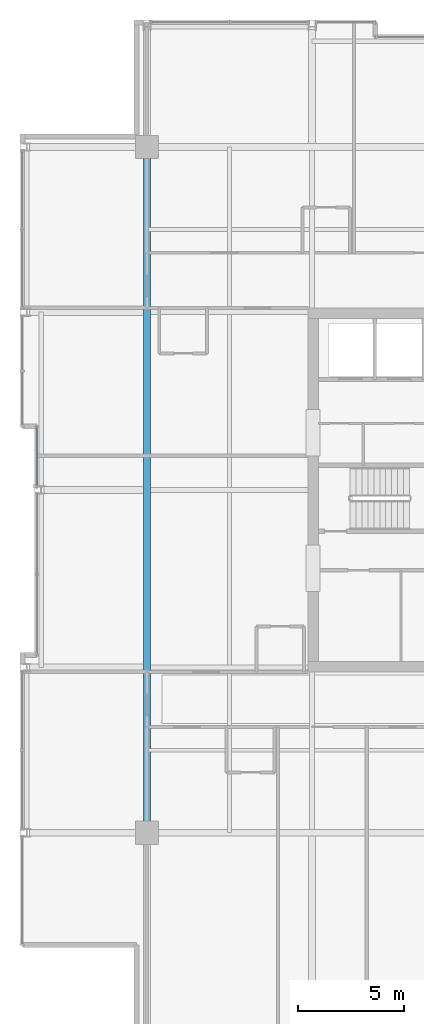
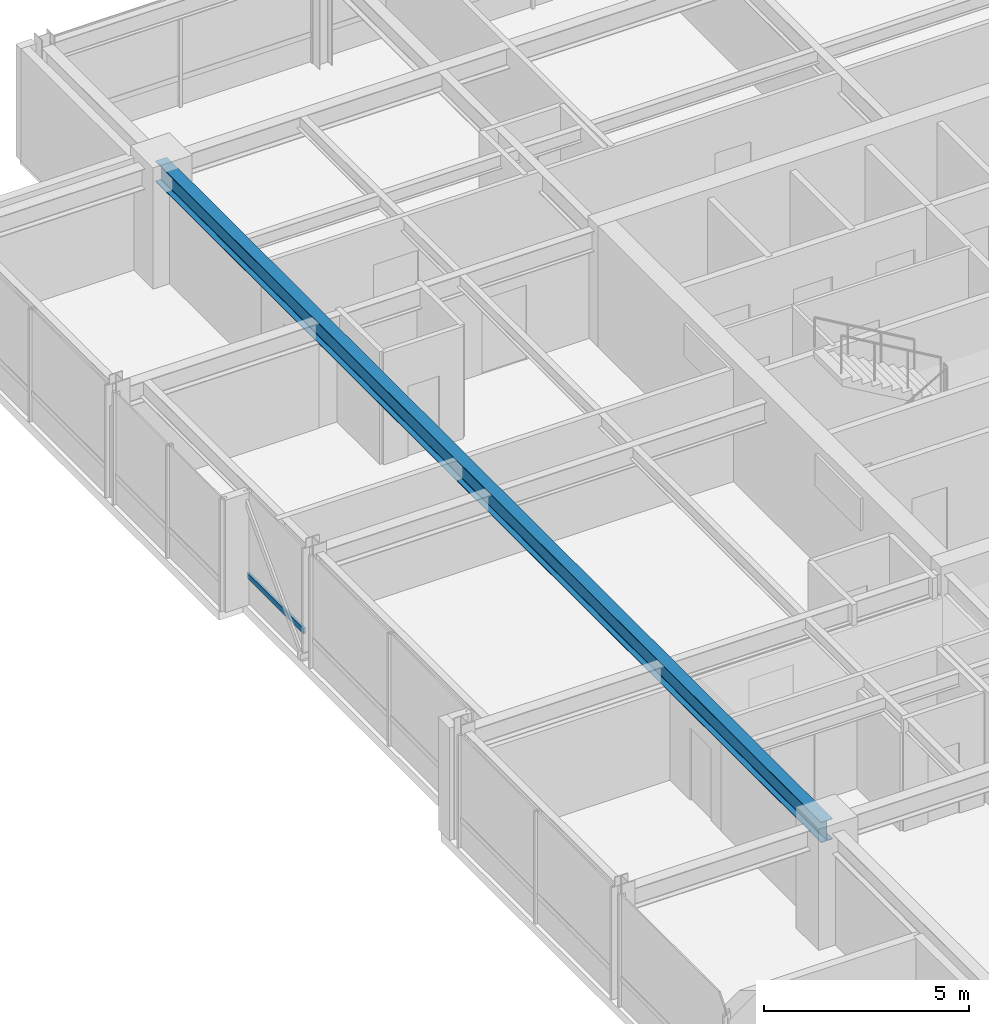
# One storey, part 10 of 33: 1 beam, 1 member, 1 element without a shape of its own.
"""IFC4 building model written with IfcOpenShell, lengths in metres."""

from ifc_helpers import new_model, si_unit, direction, frame, origin, origin_2d, place, context, subcontext, project, spatial, hollow_rectangle, i_section, extrude, material, layer, layer_set, material_profile, profile_set, type_object, element, aggregate, save


model = new_model("IFC4")

# Units and contexts
model_context = context("Model", 3, precision=1e-05, world=origin(), true_north=direction((0.0, 1.0)))
body_context = subcontext(model_context, "Body", "Model", "MODEL_VIEW")
ifc_project = project(units=[si_unit("LENGTHUNIT", "METRE"), si_unit("AREAUNIT", "SQUARE_METRE"), si_unit("VOLUMEUNIT", "CUBIC_METRE"), si_unit("PLANEANGLEUNIT", "RADIAN"), si_unit("MASSUNIT", "GRAM", prefix="KILO")], contexts=[model_context])

# Site, building, storey
site_placement = place(None, origin())
site = spatial("IfcSite", under=ifc_project, at=site_placement, CompositionType="ELEMENT")
building_placement = place(site_placement, origin())
building = spatial("IfcBuilding", under=site, at=building_placement, Name="Drelvath Grand Hotel", CompositionType="ELEMENT")
storey_placement = place(building_placement, frame((0.0, 0.0, 248.300048828125)))
storey = spatial("IfcBuildingStorey", under=building, at=storey_placement, Name="L65", CompositionType="ELEMENT", Elevation=248.300048828125)

# Curtain wall, member
ifc_material_1 = material(Name="Platinum-Mist Anodised Aluminium Frame", Category="aluminium")
ifc_layer = layer(ifc_material_1, 0.199951171875)
ifc_layer_set = layer_set([ifc_layer], Name="Platinum-Mist Anodised Aluminium Frame")
curtain_wall_type = type_object("IfcCurtainWallType", Name="Stick Curtain Wall CW-05 Platinum Mist High-Rise", PredefinedType="NOTDEFINED", material=ifc_layer_set)
curtain_wall_placement = place(storey_placement, origin())
curtain_wall = element("IfcCurtainWall", 1, at=curtain_wall_placement, inside=storey, type_object=curtain_wall_type, Name="L65 CW-05 Curtain Wall CW05-L65-WM2", PredefinedType="NOTDEFINED")
ifc_material_profile_1 = material_profile(ifc_material_1, hollow_rectangle(XDim=0.06494140625, YDim=0.159912109375, WallThickness=0.00390625, at=origin_2d()), Name="HSS160X65X4")
ifc_profile_set_1 = profile_set([ifc_material_profile_1], Name="Platinum-Mist Anodised Aluminium Frame")
member_type = type_object("IfcMemberType", Name="Curtain Wall Horizontal Transom CW-05 HSS160X65X4", PredefinedType="USERDEFINED", material=ifc_profile_set_1)
member_placement = place(storey_placement, frame((-21.39990234375, 27.21826171875, 0.8349609375), z_axis=(0.0, 1.0, 0.0), x_axis=(-1.0, 0.0, 0.0)))
member = element("IfcMember", 2, at=member_placement, type_object=member_type, Name="CW05-L65-WM2 Sill Transom", ObjectType="TRANSOM", PredefinedType="USERDEFINED", context=body_context, shape_type="SweptSolid", body=[
    extrude(hollow_rectangle(XDim=0.06494140625, YDim=0.159912109375, WallThickness=0.00390625, at=origin_2d()), origin(), (0.0, 0.0, 1.0), 2.74169921875),
])
aggregate(curtain_wall, [member])

# Beam
ifc_material_2 = material(Name="Steel ASTM A992 Gr 50", Category="steel")
ifc_material_profile_2 = material_profile(ifc_material_2, i_section(OverallWidth=0.323974609375, OverallDepth=0.611083984375, WebThickness=0.0126953125, FlangeThickness=0.01904296875, FilletRadius=0.02197265625, at=origin_2d()), Name="W24X104")
ifc_profile_set_2 = profile_set([ifc_material_profile_2], Name="Steel ASTM A992 Gr 50")
beam_type = type_object("IfcBeamType", Name="Primary Floor Girder W24X104", PredefinedType="BEAM", material=ifc_profile_set_2)
beam_placement = place(storey_placement, frame((-16.199951171875, 10.800048828125, 3.034423828125), z_axis=(0.0, 1.0, 0.0), x_axis=(-1.0, 0.0, 0.0)))
element("IfcBeam", 3, at=beam_placement, inside=storey, type_object=beam_type, Name="L65 Mega Ring Girder West", PredefinedType="BEAM", context=body_context, shape_type="SweptSolid", body=[
    extrude(i_section(OverallWidth=0.323974609375, OverallDepth=0.611083984375, WebThickness=0.0126953125, FlangeThickness=0.01904296875, FilletRadius=0.02197265625, at=origin_2d()), origin(), (0.0, 0.0, 1.0), 32.39990234375),
])

save(model, "model.ifc")
